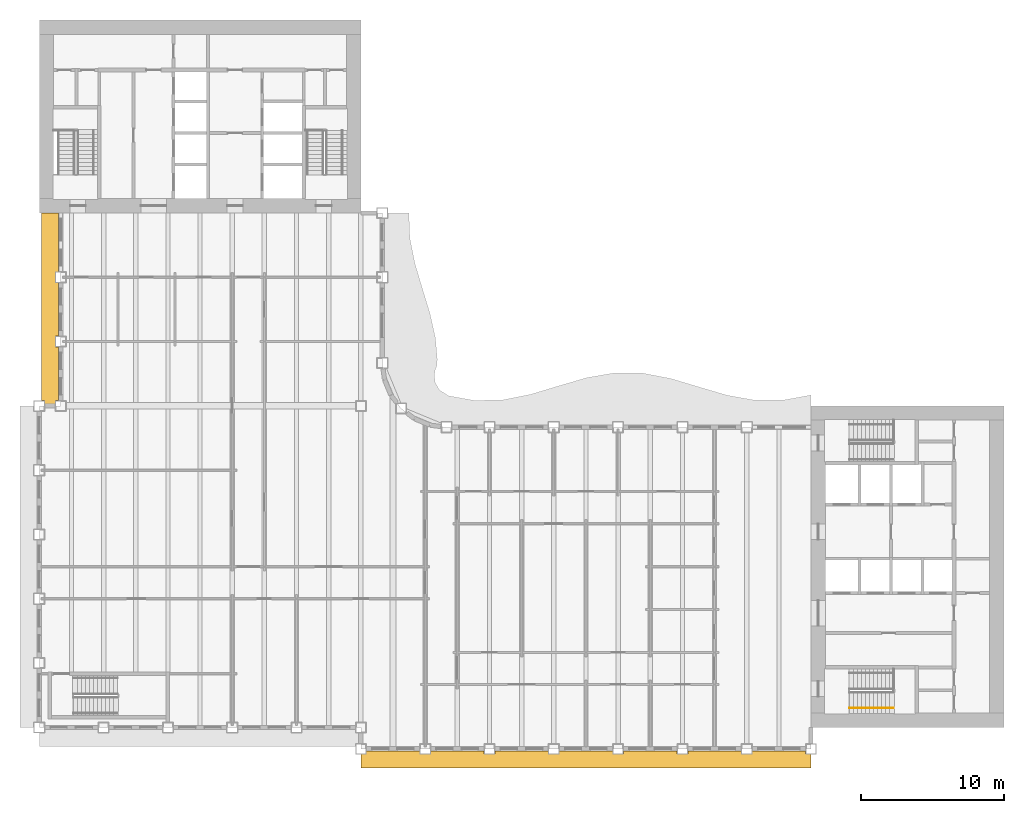
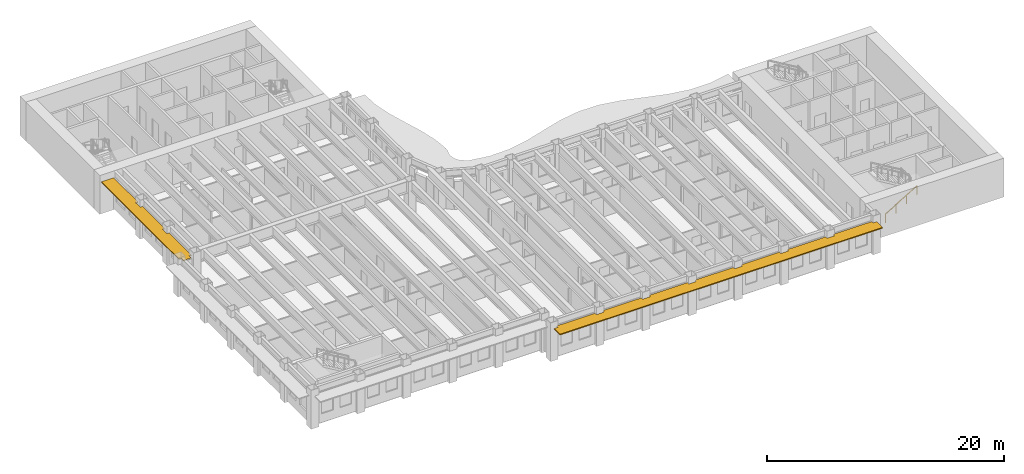
# One storey, part 12 of 16: 2 shading devices, 1 railing.
"""IFC4 building model written with IfcOpenShell, lengths in metres."""

from ifc_helpers import new_model, si_unit, direction, frame, origin, origin_2d, place, context, subcontext, project, spatial, polyline, rectangle, outline, extrude, material, layer, layer_set, type_object, element, save


model = new_model("IFC4")

# Units and contexts
model_context = context("Model", 3, precision=1e-05, world=origin(), true_north=direction((0.0, 1.0)))
body_context = subcontext(model_context, "Body", "Model", "MODEL_VIEW")
ifc_project = project(units=[si_unit("LENGTHUNIT", "METRE"), si_unit("AREAUNIT", "SQUARE_METRE"), si_unit("VOLUMEUNIT", "CUBIC_METRE"), si_unit("PLANEANGLEUNIT", "RADIAN"), si_unit("MASSUNIT", "GRAM", prefix="KILO")], contexts=[model_context])

# Site, building, storey
site_placement = place(None, origin())
site = spatial("IfcSite", under=ifc_project, at=site_placement, CompositionType="ELEMENT")
building_placement = place(site_placement, origin())
building = spatial("IfcBuilding", under=site, at=building_placement, Name="Sennacour Bend Tower", CompositionType="ELEMENT")
storey_placement = place(building_placement, frame((0.0, 0.0, 231.0)))
storey = spatial("IfcBuildingStorey", under=building, at=storey_placement, Name="L53", CompositionType="ELEMENT", Elevation=231.0)

# Railing
ifc_material_1 = material(Name="Stainless steel", Category="steel")
railing_type = type_object("IfcRailingType", Name="RL-HANDRAIL-900", PredefinedType="HANDRAIL", material=ifc_material_1)
railing_placement = place(storey_placement, frame((56.699951171875, 1.35009765625, 0.166748046875)))
element("IfcRailing", 1, at=railing_placement, inside=storey, type_object=railing_type, Name="L53 SA1 stair handrail 1", PredefinedType="HANDRAIL", context=body_context, shape_type="SweptSolid", body=[
    extrude(rectangle(XDim=0.048095703125, YDim=0.048095703125, at=origin_2d()), frame((0.0, 0.0, 0.8759765625), z_axis=(0.859308565015, 0.0, 0.511457515432), x_axis=(0.0, 1.0, 0.0)), (0.0, 0.0, 1.0), 3.58447265625),
    extrude(rectangle(XDim=0.0419921875, YDim=0.0419921875, at=origin_2d()), origin(), (0.0, 0.0, 1.0), 0.851806640625),
    extrude(rectangle(XDim=0.0419921875, YDim=0.0419921875, at=origin_2d()), frame((1.026611328125, 0.0, 0.611083984375)), (0.0, 0.0, 1.0), 0.851806640625),
    extrude(rectangle(XDim=0.0419921875, YDim=0.0419921875, at=origin_2d()), frame((2.053466796875, 0.0, 1.22216796875)), (0.0, 0.0, 1.0), 0.851806640625),
    extrude(rectangle(XDim=0.0419921875, YDim=0.0419921875, at=origin_2d()), frame((3.080078125, 0.0, 1.833251953125)), (0.0, 0.0, 1.0), 0.851806640625),
])

# Shading devices
ifc_material_2 = material(Name="Bronze anodised aluminium", Category="aluminium")
ifc_layer = layer(ifc_material_2, 0.10009765625, Name="Bronze anodised aluminium", Category="aluminium")
ifc_layer_set = layer_set([ifc_layer], Name="Bronze anodised aluminium")
shading_device_type = type_object("IfcShadingDeviceType", Name="SUNSHADE BAND STRAIGHT", PredefinedType="USERDEFINED", material=ifc_layer_set)
shading_device_1_placement = place(storey_placement, frame((0.0, 0.0, 3.056884765625)))
element("IfcShadingDevice", 2, at=shading_device_1_placement, inside=storey, type_object=shading_device_type, Name="Sunshade band L53 A outer face", ObjectType="SUNSHADE", PredefinedType="USERDEFINED", context=body_context, shape_type="SweptSolid", body=[
    extrude(outline(polyline([(26.625, -1.64990234375), (26.625, -1.875), (27.375, -1.875), (27.375, -1.64990234375), (31.125, -1.64990234375), (31.125, -1.875), (31.875, -1.875), (31.875, -1.64990234375), (35.625, -1.64990234375), (35.625, -1.875), (36.375, -1.875), (36.375, -1.64990234375), (40.125, -1.64990234375), (40.125, -1.875), (40.875, -1.875), (40.875, -1.64990234375), (44.625, -1.64990234375), (44.625, -1.875), (45.375, -1.875), (45.375, -1.64990234375), (49.125, -1.64990234375), (49.125, -1.875), (49.875, -1.875), (49.875, -1.64990234375), (53.625, -1.64990234375), (53.625, -1.875), (54.0, -1.875), (54.0, -2.85009765625), (22.5, -2.85009765625), (22.5, -1.875), (22.875, -1.875), (22.875, -1.64990234375), (26.625, -1.64990234375)])), origin(), (0.0, 0.0, 1.0), 0.10009765625),
])
shading_device_2_placement = place(storey_placement, frame((0.0, 0.0, 3.056884765625)))
element("IfcShadingDevice", 3, at=shading_device_2_placement, inside=storey, type_object=shading_device_type, Name="Sunshade band L53 B outer face", ObjectType="SUNSHADE", PredefinedType="USERDEFINED", context=body_context, shape_type="SweptSolid", body=[
    extrude(outline(polyline([(1.35009765625, 31.875), (1.125, 31.875), (1.125, 31.125), (1.35009765625, 31.125), (1.35009765625, 27.375), (1.125, 27.375), (1.125, 26.625), (1.35009765625, 26.625), (1.35009765625, 22.875), (1.125, 22.875), (1.125, 22.5), (0.375, 22.5), (0.375, 22.875), (0.14990234375, 22.875), (0.14990234375, 36.0), (1.35009765625, 36.0), (1.35009765625, 31.875)])), origin(), (0.0, 0.0, 1.0), 0.10009765625),
])

save(model, "model.ifc")
